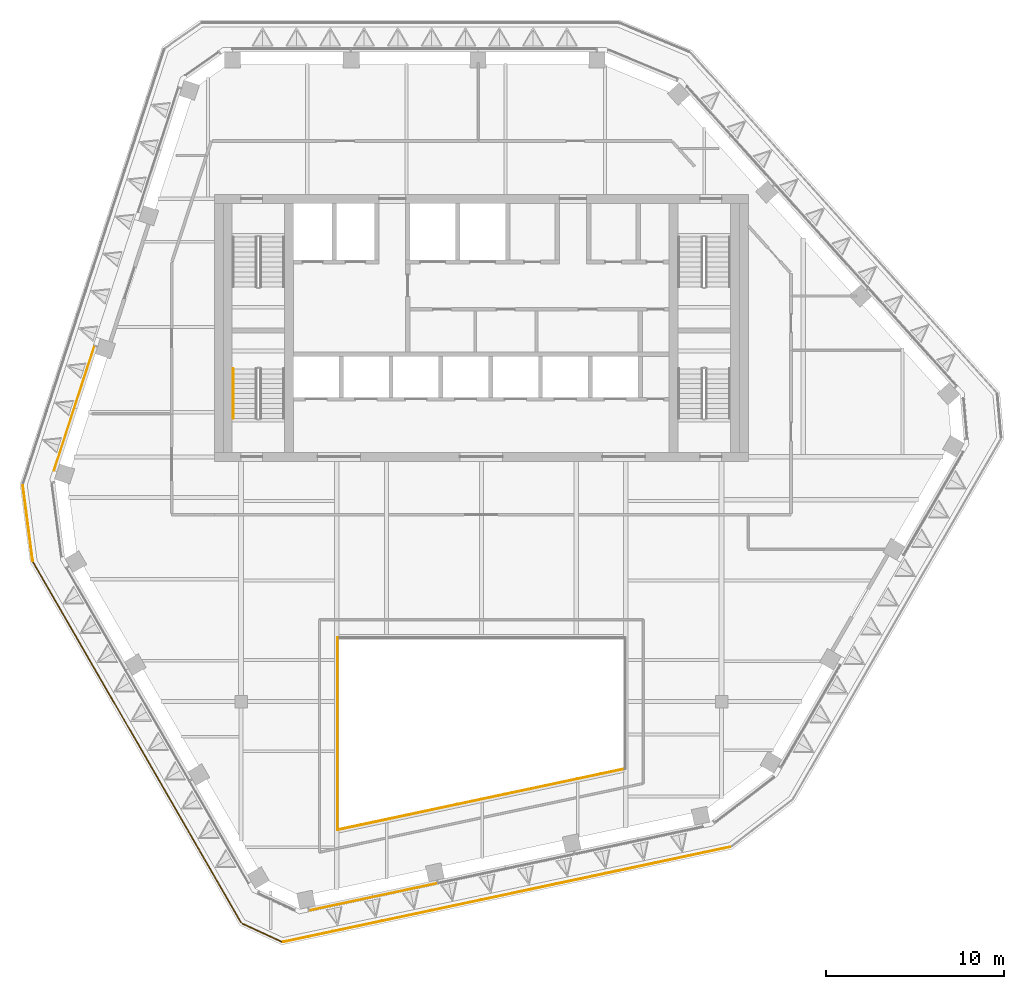
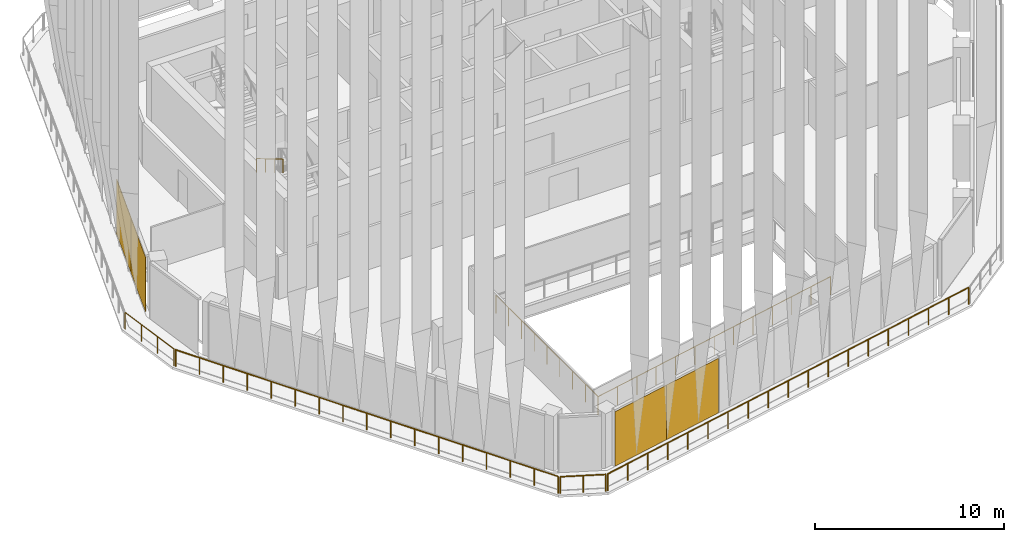
# One storey, part 11 of 21: 7 railings, 4 coverings, 2 elements without a shape of their own.
"""IFC4 building model written with IfcOpenShell, lengths in metres."""

import ifcopenshell
import ifcopenshell.guid

model = None  # the IFC model being written
_history = None  # IfcOwnerHistory: only IFC2X3 demands one
_inside = {}  # id of a spatial element -> (the spatial element, [elements in it])
_under = {}  # id of a project, library or spatial element -> (it, [spatial elements below it])
_declared = {}  # id of a project -> (the project, [libraries it declares])
_typed = {}  # id of a type object -> (the type object, [elements of that type])
_made_of = {}  # id of a material, layer set ... -> (it, [elements and type objects made of it])


def new_model(schema):
    """Start an empty IFC model of exactly this schema.

    Asked for "IFC4X3", IfcOpenShell would pick the latest addendum, in which some entities
    have other attributes; the version numbers below select the first issue.
    IFC2X3 requires an IfcOwnerHistory on every rooted entity: one is made here for all.
    """
    global model, _history
    if schema == "IFC4X3":
        model = ifcopenshell.file(schema_version=(4, 3, 0, 0))
    else:
        model = ifcopenshell.file(schema=schema)
    _inside.clear()
    _under.clear()
    _declared.clear()
    _typed.clear()
    _made_of.clear()
    _history = None
    if model.schema == "IFC2X3":
        org = make("IfcOrganization", Name="unknown")
        user = make(
            "IfcPersonAndOrganization",
            ThePerson=make("IfcPerson", FamilyName="unknown"),
            TheOrganization=org,
        )
        app = make(
            "IfcApplication",
            ApplicationDeveloper=org,
            Version="unknown",
            ApplicationFullName="unknown",
            ApplicationIdentifier="unknown",
        )
        _history = make(
            "IfcOwnerHistory",
            OwningUser=user,
            OwningApplication=app,
            ChangeAction="ADDED",
            CreationDate=0,
        )
    return model


def make(cls, **values):
    """One entity of the class cls with the attributes given. An attribute that is None is left unset."""
    return model.create_entity(
        cls, **{name: value for name, value in values.items() if value is not None}
    )


def rooted(cls, **values):
    """An entity with a GlobalId (a new one), such as an element, a storey or a relation."""
    return make(cls, GlobalId=ifcopenshell.guid.new(), OwnerHistory=_history, **values)


def si_unit(unit_type, name, prefix=None):
    """IfcSIUnit, for example si_unit("LENGTHUNIT", "METRE", prefix="MILLI")."""
    return make("IfcSIUnit", UnitType=unit_type, Prefix=prefix, Name=name)


def assignment(units):
    """IfcUnitAssignment: the units of a project."""
    return None if units is None else make("IfcUnitAssignment", Units=units)


def point(xyz):
    """IfcCartesianPoint."""
    return None if xyz is None else make("IfcCartesianPoint", Coordinates=xyz)


def direction(xyz):
    """IfcDirection."""
    return None if xyz is None else make("IfcDirection", DirectionRatios=xyz)


def frame(location, z_axis=None, x_axis=None):
    """IfcAxis2Placement3D, a coordinate frame: its origin and axes. An axis left out is left unset."""
    return make(
        "IfcAxis2Placement3D",
        Location=point(location),
        Axis=direction(z_axis),
        RefDirection=direction(x_axis),
    )


def frame_2d(location, x_axis=None):
    """IfcAxis2Placement2D, a coordinate frame in the plane: its origin and x axis."""
    return make(
        "IfcAxis2Placement2D", Location=point(location), RefDirection=direction(x_axis)
    )


def origin():
    """The frame at (0, 0, 0) with its axes left unset."""
    return frame((0.0, 0.0, 0.0))


def origin_2d():
    """The frame at (0, 0) in the plane with its x axis left unset."""
    return frame_2d((0.0, 0.0))


def place(relative_to, where):
    """IfcLocalPlacement: puts the frame where relative to a parent placement (None: the world)."""
    return make(
        "IfcLocalPlacement", PlacementRelTo=relative_to, RelativePlacement=where
    )


def context(
    kind, dimensions, precision=None, world=None, true_north=None, identifier=None
):
    """IfcGeometricRepresentationContext, for example the 3D "Model" context."""
    return make(
        "IfcGeometricRepresentationContext",
        ContextIdentifier=identifier,
        ContextType=kind,
        CoordinateSpaceDimension=dimensions,
        Precision=precision,
        WorldCoordinateSystem=world,
        TrueNorth=true_north,
    )


def subcontext(parent, identifier, kind, view, scale=None):
    """IfcGeometricRepresentationSubContext, for example "Body" below "Model"."""
    return make(
        "IfcGeometricRepresentationSubContext",
        ContextIdentifier=identifier,
        ContextType=kind,
        ParentContext=parent,
        TargetScale=scale,
        TargetView=view,
    )


def project(units=None, contexts=None):
    """IfcProject with its units and contexts."""
    return rooted(
        "IfcProject",
        Name="project",
        RepresentationContexts=contexts,
        UnitsInContext=assignment(units),
    )


def spatial(cls, under=None, at=None, **own):
    """A site, building, storey or space (cls), placed at a placement, below another one or the project."""
    s = rooted(cls, ObjectPlacement=at, **own)
    if under is not None:
        _under.setdefault(under.id(), (under, []))[1].append(s)
    return s


def profile(cls, at=None, kind="AREA", **sizes):
    """A parametric profile (cls). Its sizes go by their IFC names, for example OverallWidth=200.0."""
    return make(cls, ProfileType=kind, Position=at, **sizes)


def rectangle(**sizes):
    """IfcRectangleProfileDef."""
    return profile("IfcRectangleProfileDef", **sizes)


def circle(**sizes):
    """IfcCircleProfileDef."""
    return profile("IfcCircleProfileDef", **sizes)


def extrude(swept, where, along, depth):
    """IfcExtrudedAreaSolid: the profile swept, set in the frame where, extruded along a direction by depth."""
    return make(
        "IfcExtrudedAreaSolid",
        SweptArea=swept,
        Position=where,
        ExtrudedDirection=direction(along),
        Depth=depth,
    )


def shape(context_of_items, identifier, shape_type, items):
    """IfcShapeRepresentation: the items that make up one representation, for example the "Body"."""
    return make(
        "IfcShapeRepresentation",
        ContextOfItems=context_of_items,
        RepresentationIdentifier=identifier,
        RepresentationType=shape_type,
        Items=items,
    )


def material(Name=None, Category=None):
    """IfcMaterial."""
    return make("IfcMaterial", Name=Name, Category=Category)


def layer(
    of_material, thickness, ventilated=None, Name=None, Category=None, Priority=None
):
    """IfcMaterialLayer: one layer of a wall or slab, of a material (None: an air gap)."""
    return make(
        "IfcMaterialLayer",
        Material=of_material,
        LayerThickness=thickness,
        IsVentilated=ventilated,
        Name=Name,
        Category=Category,
        Priority=Priority,
    )


def layer_set(layers, Name=None):
    """IfcMaterialLayerSet."""
    return make("IfcMaterialLayerSet", MaterialLayers=layers, LayerSetName=Name)


def made_of(thing, what):
    """Note that an element or type object is made of a material, layer set ...; save() writes the relation."""
    if what is not None:
        _made_of.setdefault(what.id(), (what, []))[1].append(thing)
    return thing


def type_object(cls, material=None, **own):
    """A type object (cls), such as IfcWallType, which elements share."""
    return made_of(rooted(cls, **own), material)


def element(
    cls,
    number,
    at=None,
    inside=None,
    cuts=None,
    type_object=None,
    material=None,
    context=None,
    identifier="Body",
    shape_type=None,
    held_by="IfcProductDefinitionShape",
    body=None,
    shapes=None,
    **own,
):
    """One element of the class cls, such as IfcWall. Its Tag is "e" and its number.

    at: its placement. inside: the storey or other place that contains it. cuts: it is an
    opening in that element (IfcRelVoidsElement). A single representation is given by context,
    identifier, shape_type and body (its items); several are given by shapes. held_by: the class
    of the entity that holds the representations. save() writes the other relations.
    """
    e = rooted(cls, Tag="e%d" % number, ObjectPlacement=at, **own)
    if body is not None:
        shapes = [shape(context, identifier, shape_type, body)]
    if shapes is not None:
        e.Representation = make(held_by, Representations=shapes)
    if inside is not None:
        _inside.setdefault(inside.id(), (inside, []))[1].append(e)
    if cuts is not None:
        rooted(
            "IfcRelVoidsElement", RelatingBuildingElement=cuts, RelatedOpeningElement=e
        )
    if type_object is not None:
        _typed.setdefault(type_object.id(), (type_object, []))[1].append(e)
    return made_of(e, material)


def aggregate(whole, parts):
    """IfcRelAggregates: a whole, such as a stair, and the parts it consists of."""
    return rooted("IfcRelAggregates", RelatingObject=whole, RelatedObjects=parts)


def save(model, path):
    """Write the relations noted so far, then the file.

    IfcRelAggregates (storeys below a building ...), IfcRelContainedInSpatialStructure (elements
    in a storey), IfcRelDefinesByType, IfcRelAssociatesMaterial and IfcRelDeclares: one each for
    every whole, place, type object, material and project.
    """
    for whole, parts in _under.values():
        aggregate(whole, parts)
    for where, things in _inside.values():
        rooted(
            "IfcRelContainedInSpatialStructure",
            RelatedElements=things,
            RelatingStructure=where,
        )
    for kind, things in _typed.values():
        rooted("IfcRelDefinesByType", RelatedObjects=things, RelatingType=kind)
    for what, things in _made_of.values():
        rooted("IfcRelAssociatesMaterial", RelatedObjects=things, RelatingMaterial=what)
    for by, libraries in _declared.values():
        rooted("IfcRelDeclares", RelatingContext=by, RelatedDefinitions=libraries)
    model.write(path)


model = new_model("IFC4")

# Units and contexts
model_context = context("Model", 3, precision=1e-05, world=origin(), true_north=direction((0.0, 1.0)))
body_context = subcontext(model_context, "Body", "Model", "MODEL_VIEW")
ifc_project = project(units=[si_unit("LENGTHUNIT", "METRE"), si_unit("AREAUNIT", "SQUARE_METRE"), si_unit("VOLUMEUNIT", "CUBIC_METRE"), si_unit("PLANEANGLEUNIT", "RADIAN"), si_unit("MASSUNIT", "GRAM", prefix="KILO")], contexts=[model_context])

# Site, building, storey
site_placement = place(None, origin())
site = spatial("IfcSite", under=ifc_project, at=site_placement, CompositionType="ELEMENT")
building_placement = place(site_placement, origin())
building = spatial("IfcBuilding", under=site, at=building_placement, Name="Isthmus Gate Tower", CompositionType="ELEMENT")
storey_placement = place(building_placement, frame((0.0, 0.0, 260.949951171875)))
storey = spatial("IfcBuildingStorey", under=building, at=storey_placement, Name="L66", CompositionType="ELEMENT", Elevation=260.949951171875)

# Railings
ifc_material_1 = material(Name="Laminated toughened glass balustrade with steel rail", Category="steel")
railing_type_1 = type_object("IfcRailingType", Name="ATRIUM GUARD GLASS BALUSTRADE 1200", PredefinedType="GUARDRAIL", material=ifc_material_1)
railing_1_placement = place(storey_placement, frame((-8.080078125, -20.7099609375, 0.0)))
element("IfcRailing", 1, at=railing_1_placement, inside=storey, type_object=railing_type_1, Name="L66 atrium guard", PredefinedType="GUARDRAIL", context=body_context, shape_type="SweptSolid", body=[
    extrude(circle(Radius=0.02490234375, at=origin_2d()), frame((0.0, 0.0, 1.1748046875), z_axis=(0.0, 1.0, 0.0), x_axis=(-1.0, 0.0, 0.0)), (0.0, 0.0, 1.0), 10.7900390625),
    extrude(circle(Radius=0.02490234375, at=origin_2d()), origin(), (0.0, 0.0, 1.0), 1.14990234375),
    extrude(circle(Radius=0.02490234375, at=origin_2d()), frame((0.0, 1.3486328125, 0.0)), (0.0, 0.0, 1.0), 1.14990234375),
    extrude(circle(Radius=0.02490234375, at=origin_2d()), frame((0.0, 2.697509765625, 0.0)), (0.0, 0.0, 1.0), 1.14990234375),
    extrude(circle(Radius=0.02490234375, at=origin_2d()), frame((0.0, 4.04638671875, 0.0)), (0.0, 0.0, 1.0), 1.14990234375),
    extrude(circle(Radius=0.02490234375, at=origin_2d()), frame((0.0, 5.39501953125, 0.0)), (0.0, 0.0, 1.0), 1.14990234375),
    extrude(circle(Radius=0.02490234375, at=origin_2d()), frame((0.0, 6.74365234375, 0.0)), (0.0, 0.0, 1.0), 1.14990234375),
    extrude(circle(Radius=0.02490234375, at=origin_2d()), frame((0.0, 8.092529296875, 0.0)), (0.0, 0.0, 1.0), 1.14990234375),
    extrude(circle(Radius=0.02490234375, at=origin_2d()), frame((0.0, 9.44140625, 0.0)), (0.0, 0.0, 1.0), 1.14990234375),
    extrude(circle(Radius=0.02490234375, at=origin_2d()), frame((0.0, 10.7900390625, 0.0)), (0.0, 0.0, 1.0), 1.14990234375),
])
railing_2_placement = place(storey_placement, frame((8.080078125, -17.27490234375, 0.0)))
element("IfcRailing", 2, at=railing_2_placement, inside=storey, type_object=railing_type_1, Name="L66 atrium guard", PredefinedType="GUARDRAIL", context=body_context, shape_type="SweptSolid", body=[
    extrude(circle(Radius=0.02490234375, at=origin_2d()), frame((0.0, 0.0, 1.1748046875), z_axis=(-0.978146230105, -0.207918139013, 0.0), x_axis=(0.207918139013, -0.978146230105, 0.0)), (0.0, 0.0, 1.0), 16.521240234375),
    extrude(circle(Radius=0.02490234375, at=origin_2d()), origin(), (0.0, 0.0, 1.0), 1.14990234375),
    extrude(circle(Radius=0.02490234375, at=origin_2d()), frame((-1.3466796875, -0.2861328125, 0.0)), (0.0, 0.0, 1.0), 1.14990234375),
    extrude(circle(Radius=0.02490234375, at=origin_2d()), frame((-2.693359375, -0.572509765625, 0.0)), (0.0, 0.0, 1.0), 1.14990234375),
    extrude(circle(Radius=0.02490234375, at=origin_2d()), frame((-4.0400390625, -0.85888671875, 0.0)), (0.0, 0.0, 1.0), 1.14990234375),
    extrude(circle(Radius=0.02490234375, at=origin_2d()), frame((-5.38671875, -1.14501953125, 0.0)), (0.0, 0.0, 1.0), 1.14990234375),
    extrude(circle(Radius=0.02490234375, at=origin_2d()), frame((-6.7333984375, -1.43115234375, 0.0)), (0.0, 0.0, 1.0), 1.14990234375),
    extrude(circle(Radius=0.02490234375, at=origin_2d()), frame((-8.080078125, -1.717529296875, 0.0)), (0.0, 0.0, 1.0), 1.14990234375),
    extrude(circle(Radius=0.02490234375, at=origin_2d()), frame((-9.4267578125, -2.00390625, 0.0)), (0.0, 0.0, 1.0), 1.14990234375),
    extrude(circle(Radius=0.02490234375, at=origin_2d()), frame((-10.7734375, -2.2900390625, 0.0)), (0.0, 0.0, 1.0), 1.14990234375),
    extrude(circle(Radius=0.02490234375, at=origin_2d()), frame((-12.1201171875, -2.576171875, 0.0)), (0.0, 0.0, 1.0), 1.14990234375),
    extrude(circle(Radius=0.02490234375, at=origin_2d()), frame((-13.466796875, -2.862548828125, 0.0)), (0.0, 0.0, 1.0), 1.14990234375),
    extrude(circle(Radius=0.02490234375, at=origin_2d()), frame((-14.8134765625, -3.14892578125, 0.0)), (0.0, 0.0, 1.0), 1.14990234375),
    extrude(circle(Radius=0.02490234375, at=origin_2d()), frame((-16.16015625, -3.43505859375, 0.0)), (0.0, 0.0, 1.0), 1.14990234375),
])

# Curtain wall, coverings
ifc_material_2 = material(Name="Aluminium, pale champagne anodised", Category="aluminium")
ifc_layer_1 = layer(ifc_material_2, 0.199951171875)
ifc_layer_set_1 = layer_set([ifc_layer_1], Name="CW-1 UNITISED CURTAIN WALL 200 DEEP")
curtain_wall_type = type_object("IfcCurtainWallType", Name="CW-1 UNITISED CURTAIN WALL 200 DEEP", PredefinedType="NOTDEFINED", material=ifc_layer_set_1)
curtain_wall_1_placement = place(storey_placement, origin())
curtain_wall_1 = element("IfcCurtainWall", 3, at=curtain_wall_1_placement, inside=storey, type_object=curtain_wall_type, Name="CW-1 NW L66", PredefinedType="NOTDEFINED")
ifc_material_3 = material(Name="Aluminium composite panel, pale champagne anodised", Category="aluminium")
ifc_layer_2 = layer(ifc_material_3, 0.031982421875)
ifc_layer_set_2 = layer_set([ifc_layer_2], Name="CW-1 PALE METAL PANEL 32")
covering_type = type_object("IfcCoveringType", Name="CW-1 PALE METAL PANEL 32", PredefinedType="CLADDING", material=ifc_layer_set_2)
covering_1_placement = place(storey_placement, frame((-22.309326171875, 4.737548828125, 0.0), z_axis=(0.0, 0.0, 1.0), x_axis=(-0.309016994375, -0.951056516295, 0.0)))
covering_1 = element("IfcCovering", 4, at=covering_1_placement, type_object=covering_type, Name="CW-1 pale metal panel", PredefinedType="CLADDING", context=body_context, shape_type="SweptSolid", body=[
    extrude(rectangle(XDim=3.643310546875, YDim=0.031982421875, at=origin_2d()), origin(), (0.0, 0.0, 1.0), 3.52001953125),
])
covering_2_placement = place(storey_placement, frame((-23.4443359375, 1.244140625, 0.0), z_axis=(0.0, 0.0, 1.0), x_axis=(-0.309016994375, -0.951056516295, 0.0)))
covering_2 = element("IfcCovering", 5, at=covering_2_placement, type_object=covering_type, Name="CW-1 pale metal panel", PredefinedType="CLADDING", context=body_context, shape_type="SweptSolid", body=[
    extrude(rectangle(XDim=3.703369140625, YDim=0.031982421875, at=origin_2d()), origin(), (0.0, 0.0, 1.0), 3.52001953125),
])
aggregate(curtain_wall_1, [covering_1, covering_2])

curtain_wall_2_placement = place(storey_placement, origin())
curtain_wall_2 = element("IfcCurtainWall", 6, at=curtain_wall_2_placement, inside=storey, type_object=curtain_wall_type, Name="CW-1 S L66", PredefinedType="NOTDEFINED")
covering_3_placement = place(storey_placement, frame((-7.87841796875, -24.86279296875, 0.0), z_axis=(0.0, 0.0, 1.0), x_axis=(0.978147600734, 0.207911690818, 0.0)))
covering_3 = element("IfcCovering", 7, at=covering_3_placement, type_object=covering_type, Name="CW-1 pale metal panel", PredefinedType="CLADDING", context=body_context, shape_type="SweptSolid", body=[
    extrude(rectangle(XDim=3.643310546875, YDim=0.031982421875, at=origin_2d()), origin(), (0.0, 0.0, 1.0), 3.52001953125),
])
covering_4_placement = place(storey_placement, frame((-4.28515625, -24.098876953125, 0.0), z_axis=(0.0, 0.0, 1.0), x_axis=(0.978147600734, 0.207911690818, 0.0)))
covering_4 = element("IfcCovering", 8, at=covering_4_placement, type_object=covering_type, Name="CW-1 pale metal panel", PredefinedType="CLADDING", context=body_context, shape_type="SweptSolid", body=[
    extrude(rectangle(XDim=3.703369140625, YDim=0.031982421875, at=origin_2d()), origin(), (0.0, 0.0, 1.0), 3.52001953125),
])
aggregate(curtain_wall_2, [covering_3, covering_4])

# Railings
ifc_material_4 = material(Name="Stainless steel posts and toughened laminated glass", Category="steel")
railing_type_2 = type_object("IfcRailingType", Name="GUARD 1100 LEDGE GLASS", PredefinedType="GUARDRAIL", material=ifc_material_4)
railing_3_placement = place(storey_placement, frame((13.965576171875, -21.673828125, 0.0)))
element("IfcRailing", 9, at=railing_3_placement, inside=storey, type_object=railing_type_2, Name="LEDGE GUARD", PredefinedType="GUARDRAIL", context=body_context, shape_type="SweptSolid", body=[
    extrude(circle(Radius=0.02490234375, at=origin_2d()), frame((0.0, 0.0, 1.0751953125), z_axis=(-0.978148158303, -0.207909067645, 0.0), x_axis=(0.207909067645, -0.978148158303, 0.0)), (0.0, 0.0, 1.0), 25.65185546875),
    extrude(circle(Radius=0.02490234375, at=origin_2d()), origin(), (0.0, 0.0, 1.0), 1.050048828125),
    extrude(circle(Radius=0.02490234375, at=origin_2d()), frame((-1.39404296875, -0.29638671875, 0.0)), (0.0, 0.0, 1.0), 1.050048828125),
    extrude(circle(Radius=0.02490234375, at=origin_2d()), frame((-2.787841796875, -0.592529296875, 0.0)), (0.0, 0.0, 1.0), 1.050048828125),
    extrude(circle(Radius=0.02490234375, at=origin_2d()), frame((-4.181884765625, -0.888916015625, 0.0)), (0.0, 0.0, 1.0), 1.050048828125),
    extrude(circle(Radius=0.02490234375, at=origin_2d()), frame((-5.575927734375, -1.18505859375, 0.0)), (0.0, 0.0, 1.0), 1.050048828125),
    extrude(circle(Radius=0.02490234375, at=origin_2d()), frame((-6.9697265625, -1.4814453125, 0.0)), (0.0, 0.0, 1.0), 1.050048828125),
    extrude(circle(Radius=0.02490234375, at=origin_2d()), frame((-8.36376953125, -1.77783203125, 0.0)), (0.0, 0.0, 1.0), 1.050048828125),
    extrude(circle(Radius=0.02490234375, at=origin_2d()), frame((-9.7578125, -2.073974609375, 0.0)), (0.0, 0.0, 1.0), 1.050048828125),
    extrude(circle(Radius=0.02490234375, at=origin_2d()), frame((-11.151611328125, -2.370361328125, 0.0)), (0.0, 0.0, 1.0), 1.050048828125),
    extrude(circle(Radius=0.02490234375, at=origin_2d()), frame((-12.545654296875, -2.66650390625, 0.0)), (0.0, 0.0, 1.0), 1.050048828125),
    extrude(circle(Radius=0.02490234375, at=origin_2d()), frame((-13.939697265625, -2.962890625, 0.0)), (0.0, 0.0, 1.0), 1.050048828125),
    extrude(circle(Radius=0.02490234375, at=origin_2d()), frame((-15.33349609375, -3.25927734375, 0.0)), (0.0, 0.0, 1.0), 1.050048828125),
    extrude(circle(Radius=0.02490234375, at=origin_2d()), frame((-16.7275390625, -3.555419921875, 0.0)), (0.0, 0.0, 1.0), 1.050048828125),
    extrude(circle(Radius=0.02490234375, at=origin_2d()), frame((-18.12158203125, -3.851806640625, 0.0)), (0.0, 0.0, 1.0), 1.050048828125),
    extrude(circle(Radius=0.02490234375, at=origin_2d()), frame((-19.515380859375, -4.148193359375, 0.0)), (0.0, 0.0, 1.0), 1.050048828125),
    extrude(circle(Radius=0.02490234375, at=origin_2d()), frame((-20.909423828125, -4.4443359375, 0.0)), (0.0, 0.0, 1.0), 1.050048828125),
    extrude(circle(Radius=0.02490234375, at=origin_2d()), frame((-22.303466796875, -4.74072265625, 0.0)), (0.0, 0.0, 1.0), 1.050048828125),
    extrude(circle(Radius=0.02490234375, at=origin_2d()), frame((-23.697265625, -5.036865234375, 0.0)), (0.0, 0.0, 1.0), 1.050048828125),
    extrude(circle(Radius=0.02490234375, at=origin_2d()), frame((-25.09130859375, -5.333251953125, 0.0)), (0.0, 0.0, 1.0), 1.050048828125),
])
railing_4_placement = place(storey_placement, frame((-11.239013671875, -26.994384765625, 0.0)))
element("IfcRailing", 10, at=railing_4_placement, inside=storey, type_object=railing_type_2, Name="LEDGE GUARD", PredefinedType="GUARDRAIL", context=body_context, shape_type="SweptSolid", body=[
    extrude(circle(Radius=0.02490234375, at=origin_2d()), frame((0.0, 0.0, 1.0751953125), z_axis=(-0.907242647188, 0.420607630843, 0.0), x_axis=(-0.420607630843, -0.907242647188, 0.0)), (0.0, 0.0, 1.0), 2.4072265625),
    extrude(circle(Radius=0.02490234375, at=origin_2d()), origin(), (0.0, 0.0, 1.0), 1.050048828125),
    extrude(circle(Radius=0.02490234375, at=origin_2d()), frame((-1.091796875, 0.50634765625, 0.0)), (0.0, 0.0, 1.0), 1.050048828125),
    extrude(circle(Radius=0.02490234375, at=origin_2d()), frame((-2.183837890625, 1.012451171875, 0.0)), (0.0, 0.0, 1.0), 1.050048828125),
])
railing_5_placement = place(storey_placement, frame((-13.50732421875, -25.90478515625, 0.0)))
element("IfcRailing", 11, at=railing_5_placement, inside=storey, type_object=railing_type_2, Name="LEDGE GUARD", PredefinedType="GUARDRAIL", context=body_context, shape_type="SweptSolid", body=[
    extrude(circle(Radius=0.02490234375, at=origin_2d()), frame((0.0, 0.0, 1.0751953125), z_axis=(-0.499999804368, 0.866025516732, 0.0), x_axis=(-0.866025516732, -0.499999804368, 0.0)), (0.0, 0.0, 1.0), 23.341796875),
    extrude(circle(Radius=0.02490234375, at=origin_2d()), origin(), (0.0, 0.0, 1.0), 1.050048828125),
    extrude(circle(Radius=0.02490234375, at=origin_2d()), frame((-0.7294921875, 1.263427734375, 0.0)), (0.0, 0.0, 1.0), 1.050048828125),
    extrude(circle(Radius=0.02490234375, at=origin_2d()), frame((-1.458984375, 2.52685546875, 0.0)), (0.0, 0.0, 1.0), 1.050048828125),
    extrude(circle(Radius=0.02490234375, at=origin_2d()), frame((-2.188232421875, 3.790283203125, 0.0)), (0.0, 0.0, 1.0), 1.050048828125),
    extrude(circle(Radius=0.02490234375, at=origin_2d()), frame((-2.917724609375, 5.0537109375, 0.0)), (0.0, 0.0, 1.0), 1.050048828125),
    extrude(circle(Radius=0.02490234375, at=origin_2d()), frame((-3.647216796875, 6.317138671875, 0.0)), (0.0, 0.0, 1.0), 1.050048828125),
    extrude(circle(Radius=0.02490234375, at=origin_2d()), frame((-4.37646484375, 7.58056640625, 0.0)), (0.0, 0.0, 1.0), 1.050048828125),
    extrude(circle(Radius=0.02490234375, at=origin_2d()), frame((-5.10595703125, 8.843994140625, 0.0)), (0.0, 0.0, 1.0), 1.050048828125),
    extrude(circle(Radius=0.02490234375, at=origin_2d()), frame((-5.83544921875, 10.107421875, 0.0)), (0.0, 0.0, 1.0), 1.050048828125),
    extrude(circle(Radius=0.02490234375, at=origin_2d()), frame((-6.56494140625, 11.37060546875, 0.0)), (0.0, 0.0, 1.0), 1.050048828125),
    extrude(circle(Radius=0.02490234375, at=origin_2d()), frame((-7.29443359375, 12.634033203125, 0.0)), (0.0, 0.0, 1.0), 1.050048828125),
    extrude(circle(Radius=0.02490234375, at=origin_2d()), frame((-8.023681640625, 13.8974609375, 0.0)), (0.0, 0.0, 1.0), 1.050048828125),
    extrude(circle(Radius=0.02490234375, at=origin_2d()), frame((-8.753173828125, 15.160888671875, 0.0)), (0.0, 0.0, 1.0), 1.050048828125),
    extrude(circle(Radius=0.02490234375, at=origin_2d()), frame((-9.482666015625, 16.42431640625, 0.0)), (0.0, 0.0, 1.0), 1.050048828125),
    extrude(circle(Radius=0.02490234375, at=origin_2d()), frame((-10.2119140625, 17.687744140625, 0.0)), (0.0, 0.0, 1.0), 1.050048828125),
    extrude(circle(Radius=0.02490234375, at=origin_2d()), frame((-10.94140625, 18.951171875, 0.0)), (0.0, 0.0, 1.0), 1.050048828125),
    extrude(circle(Radius=0.02490234375, at=origin_2d()), frame((-11.6708984375, 20.214599609375, 0.0)), (0.0, 0.0, 1.0), 1.050048828125),
])
railing_6_placement = place(storey_placement, frame((-25.2158203125, -5.57861328125, 0.0)))
element("IfcRailing", 12, at=railing_6_placement, inside=storey, type_object=railing_type_2, Name="LEDGE GUARD", PredefinedType="GUARDRAIL", context=body_context, shape_type="SweptSolid", body=[
    extrude(circle(Radius=0.02490234375, at=origin_2d()), frame((0.0, 0.0, 1.0751953125), z_axis=(-0.129157016435, 0.991624155164, 0.0), x_axis=(-0.991624155164, -0.129157016435, 0.0)), (0.0, 0.0, 1.0), 4.23974609375),
    extrude(circle(Radius=0.02490234375, at=origin_2d()), origin(), (0.0, 0.0, 1.0), 1.050048828125),
    extrude(circle(Radius=0.02490234375, at=origin_2d()), frame((-0.1826171875, 1.4013671875, 0.0)), (0.0, 0.0, 1.0), 1.050048828125),
    extrude(circle(Radius=0.02490234375, at=origin_2d()), frame((-0.364990234375, 2.802978515625, 0.0)), (0.0, 0.0, 1.0), 1.050048828125),
    extrude(circle(Radius=0.02490234375, at=origin_2d()), frame((-0.547607421875, 4.204345703125, 0.0)), (0.0, 0.0, 1.0), 1.050048828125),
])
ifc_material_5 = material(Name="Stainless steel handrail", Category="steel")
railing_type_3 = type_object("IfcRailingType", Name="STAIR HANDRAIL 900", PredefinedType="HANDRAIL", material=ifc_material_5)
railing_7_placement = place(storey_placement, frame((-13.949951171875, 5.199951171875, 1.990966796875)))
element("IfcRailing", 13, at=railing_7_placement, inside=storey, type_object=railing_type_3, Name="L66 ST7 stair handrail 2", PredefinedType="HANDRAIL", context=body_context, shape_type="SweptSolid", body=[
    extrude(circle(Radius=0.02392578125, at=origin_2d()), frame((0.0, 0.0, 0.8759765625), z_axis=(0.0, -0.860306154799, 0.50977771628), x_axis=(1.0, 0.0, 0.0)), (0.0, 0.0, 1.0), 3.254638671875),
    extrude(circle(Radius=0.02099609375, at=origin_2d()), origin(), (0.0, 0.0, 1.0), 0.851806640625),
    extrude(circle(Radius=0.02099609375, at=origin_2d()), frame((0.0, -0.933349609375, 0.552978515625)), (0.0, 0.0, 1.0), 0.851806640625),
    extrude(circle(Radius=0.02099609375, at=origin_2d()), frame((0.0, -1.86669921875, 1.106201171875)), (0.0, 0.0, 1.0), 0.851806640625),
    extrude(circle(Radius=0.02099609375, at=origin_2d()), frame((0.0, -2.800048828125, 1.6591796875)), (0.0, 0.0, 1.0), 0.851806640625),
])

save(model, "model.ifc")
